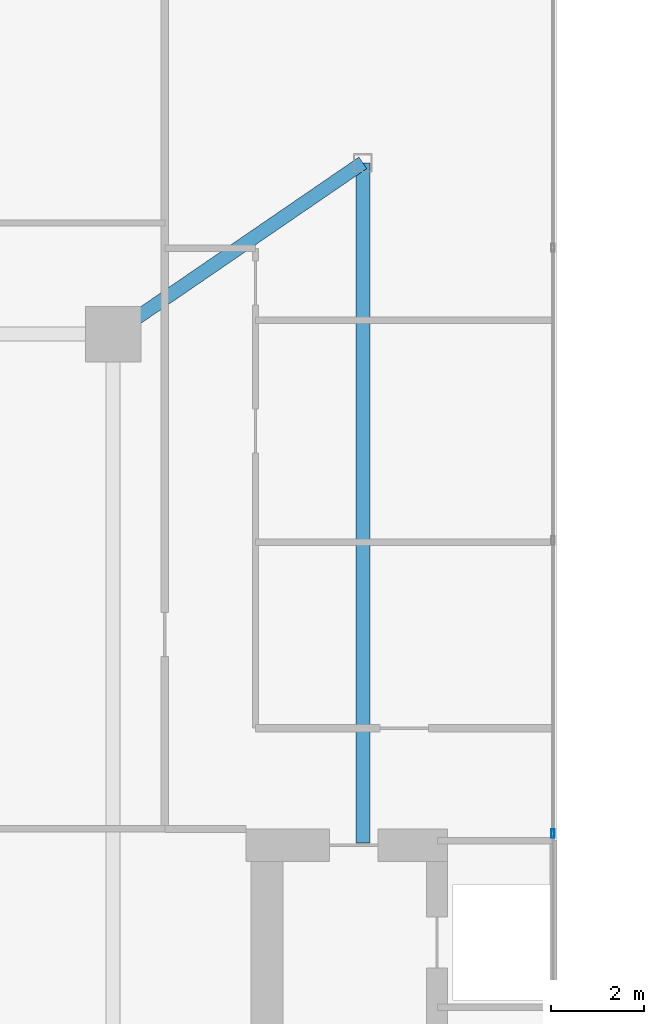
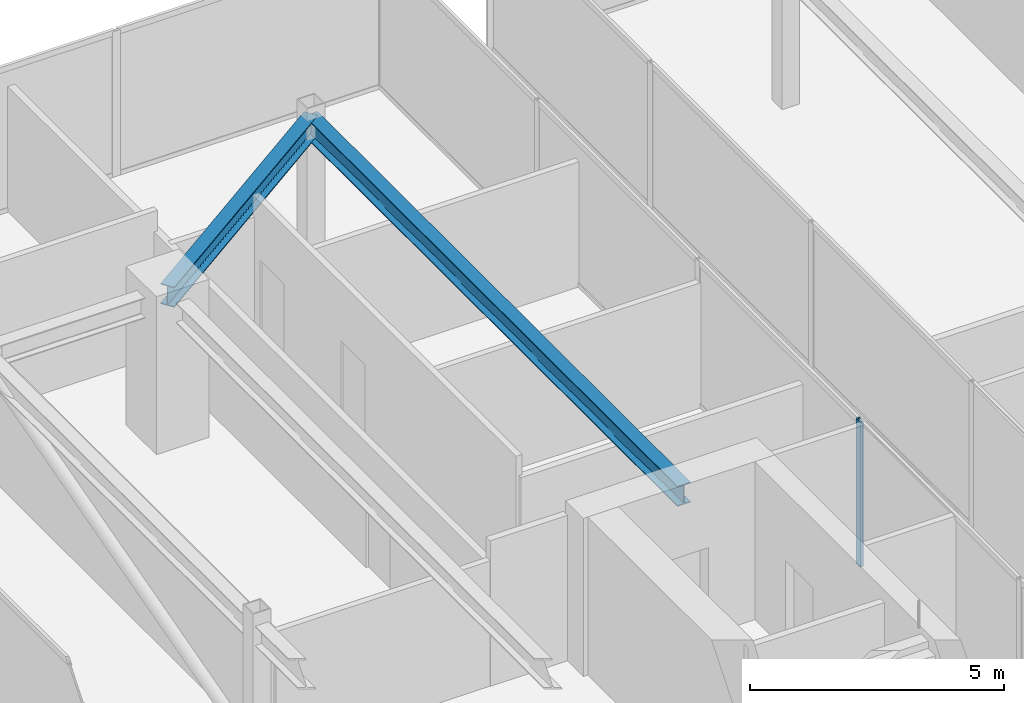
# One storey, part 11 of 25: 2 beams, 1 member, 1 element without a shape of its own.
"""IFC4 building model written with IfcOpenShell, lengths in metres."""

from ifc_helpers import new_model, si_unit, direction, frame, origin, origin_2d, place, context, subcontext, project, spatial, hollow_rectangle, i_section, extrude, source, transform, mapped, material, material_profile, profile_set, type_object, type_shapes, element, aggregate, save


model = new_model("IFC4")

# Units and contexts
model_context = context("Model", 3, precision=1e-05, world=origin(), true_north=direction((0.0, 1.0)))
body_context = subcontext(model_context, "Body", "Model", "MODEL_VIEW")
ifc_project = project(units=[si_unit("LENGTHUNIT", "METRE"), si_unit("AREAUNIT", "SQUARE_METRE"), si_unit("VOLUMEUNIT", "CUBIC_METRE"), si_unit("PLANEANGLEUNIT", "RADIAN"), si_unit("MASSUNIT", "GRAM", prefix="KILO")], contexts=[model_context])

# Site, building, storey
site_placement = place(None, origin())
site = spatial("IfcSite", under=ifc_project, at=site_placement, CompositionType="ELEMENT")
building_placement = place(site_placement, origin())
building = spatial("IfcBuilding", under=site, at=building_placement, Name="Krantzveldt Concourse Tower", CompositionType="ELEMENT")
storey_placement = place(building_placement, frame((0.0, 0.0, 370.85009765625)))
storey = spatial("IfcBuildingStorey", under=building, at=storey_placement, Name="L91", CompositionType="ELEMENT", Elevation=370.85009765625)

# Beams
ifc_material_1 = material(Name="Steel S355JR", Category="steel")
ifc_material_profile_1 = material_profile(ifc_material_1, i_section(OverallWidth=0.300048828125, OverallDepth=0.489990234375, WebThickness=0.011962890625, FlangeThickness=0.02294921875, FilletRadius=0.027099609375, at=origin_2d()), Name="Steel S355JR", Category="steel")
ifc_profile_set_1 = profile_set([ifc_material_profile_1], Name="Steel S355JR - HEA 500")
beam_type = type_object("IfcBeamType", Name="BM-B-HEA500", PredefinedType="BEAM", material=ifc_profile_set_1)
shared_shape_1 = source(origin(), body_context, "Body", "SweptSolid", [
    extrude(i_section(OverallWidth=0.300048828125, OverallDepth=0.489990234375, WebThickness=0.011962890625, FlangeThickness=0.02294921875, FilletRadius=0.027099609375, at=origin_2d()), origin(), (0.0, 0.0, 1.0), 6.546142578125),
])
beam_1_placement = place(storey_placement, frame((25.199951171875, 37.5, 3.2548828125), z_axis=(0.824942999484, 0.565215930068, 0.0), x_axis=(-0.565215930068, 0.824942999484, 0.0)))
element("IfcBeam", 1, at=beam_1_placement, inside=storey, type_object=beam_type, Name="L91 Crown Girder WEST-4", PredefinedType="BEAM", context=body_context, shape_type="MappedRepresentation", body=[
    mapped(shared_shape_1, transform((0.0, 0.0, 0.0), x_axis=(1.0, 0.0, 0.0), y_axis=(0.0, 1.0, 0.0), z_axis=(0.0, 0.0, 1.0), scale=1.0)),
])
shared_shape_2 = source(origin(), body_context, "Body", "SweptSolid", [
    extrude(i_section(OverallWidth=0.300048828125, OverallDepth=0.489990234375, WebThickness=0.011962890625, FlangeThickness=0.02294921875, FilletRadius=0.027099609375, at=origin_2d()), origin(), (0.0, 0.0, 1.0), 14.699951171875),
])
type_shapes(beam_type, [shared_shape_1, shared_shape_2])
beam_2_placement = place(storey_placement, frame((30.60009765625, 41.199951171875, 3.2548828125), z_axis=(0.0, -1.0, 0.0), x_axis=(1.0, 0.0, 0.0)))
element("IfcBeam", 2, at=beam_2_placement, inside=storey, type_object=beam_type, Name="L91 Crown Girder WEST-5", PredefinedType="BEAM", context=body_context, shape_type="MappedRepresentation", body=[
    mapped(shared_shape_2, transform((0.0, 0.0, 0.0), x_axis=(1.0, 0.0, 0.0), y_axis=(0.0, 1.0, 0.0), z_axis=(0.0, 0.0, 1.0), scale=1.0)),
])

# Curtain wall, member
ifc_material_2 = material(Name="Anodised aluminium 6063-T6", Category="aluminium")
curtain_wall_type = type_object("IfcCurtainWallType", Name="CW7", PredefinedType="USERDEFINED", material=ifc_material_2)
curtain_wall_placement = place(storey_placement, origin())
curtain_wall = element("IfcCurtainWall", 3, at=curtain_wall_placement, inside=storey, type_object=curtain_wall_type, Name="CW-L91-WEST-01", ObjectType="UNITISED CURTAIN WALL", PredefinedType="USERDEFINED")
ifc_material_profile_2 = material_profile(ifc_material_2, hollow_rectangle(XDim=0.070068359375, YDim=0.179931640625, WallThickness=0.0048828125, at=origin_2d()), Name="Anodised aluminium 6063-T6", Category="aluminium")
ifc_profile_set_2 = profile_set([ifc_material_profile_2], Name="Anodised aluminium 6063-T6 - ALU-MULL 180x70x5")
member_type = type_object("IfcMemberType", Name="CW-MUL-180", PredefinedType="MULLION", material=ifc_profile_set_2)
shared_shape_3 = source(origin(), body_context, "Body", "SweptSolid", [
    extrude(hollow_rectangle(XDim=0.070068359375, YDim=0.179931640625, WallThickness=0.0048828125, at=origin_2d()), origin(), (0.0, 0.0, 1.0), 3.5),
])
type_shapes(member_type, [shared_shape_3])
member_placement = place(storey_placement, frame((34.7099609375, 26.699951171875, 0.0), z_axis=(0.0, 0.0, 1.0), x_axis=(-1.0, 0.0, 0.0)))
member = element("IfcMember", 4, at=member_placement, type_object=member_type, Name="CW-CRN mullion 4", PredefinedType="MULLION", context=body_context, shape_type="MappedRepresentation", body=[
    mapped(shared_shape_3, transform((0.0, 0.0, 0.0), x_axis=(1.0, 0.0, 0.0), y_axis=(0.0, 1.0, 0.0), z_axis=(0.0, 0.0, 1.0), scale=1.0)),
])
aggregate(curtain_wall, [member])

save(model, "model.ifc")
